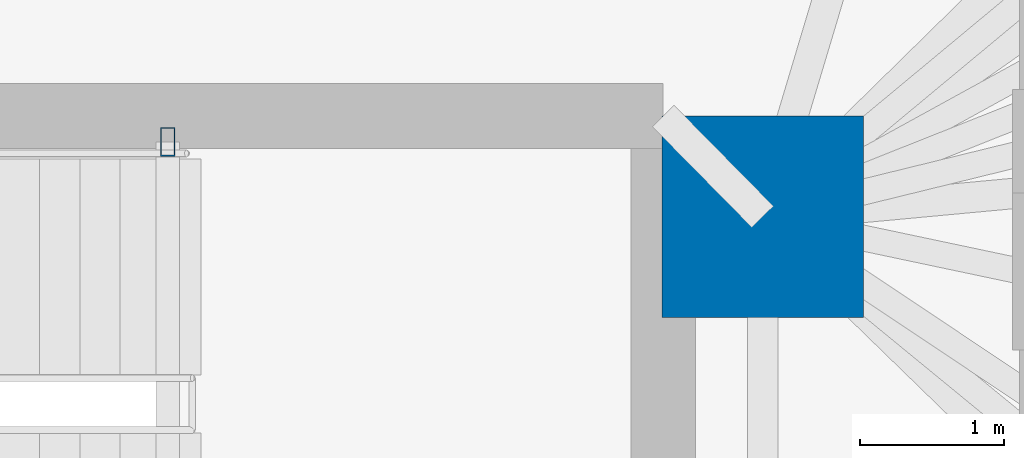
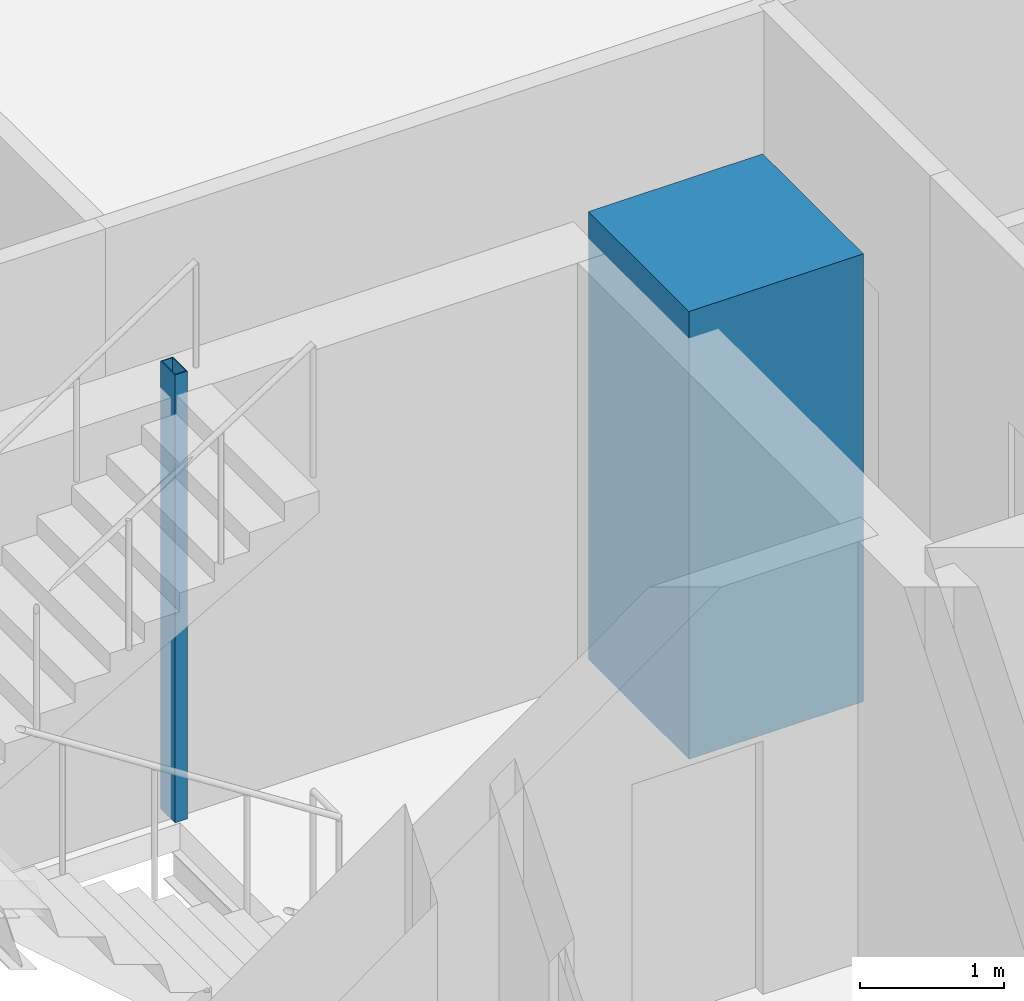
# One storey, part 4 of 17: 2 columns.
"""IFC4 building model written with IfcOpenShell, lengths in metres."""

from ifc_helpers import new_model, si_unit, direction, frame, origin, origin_2d, place, context, subcontext, project, spatial, rectangle, hollow_rectangle, extrude, material, material_profile, profile_set, type_object, element, save


model = new_model("IFC4")

# Units and contexts
model_context = context("Model", 3, precision=1e-05, world=origin(), true_north=direction((0.0, 1.0)))
body_context = subcontext(model_context, "Body", "Model", "MODEL_VIEW")
ifc_project = project(units=[si_unit("LENGTHUNIT", "METRE"), si_unit("AREAUNIT", "SQUARE_METRE"), si_unit("VOLUMEUNIT", "CUBIC_METRE"), si_unit("PLANEANGLEUNIT", "RADIAN"), si_unit("MASSUNIT", "GRAM", prefix="KILO")], contexts=[model_context])

# Site, building, storey
site_placement = place(None, origin())
site = spatial("IfcSite", under=ifc_project, at=site_placement, CompositionType="ELEMENT")
building_placement = place(site_placement, origin())
building = spatial("IfcBuilding", under=site, at=building_placement, Name="Menara Jurai Vektor", CompositionType="ELEMENT")
storey_placement = place(building_placement, frame((0.0, 0.0, 71.199951171875)))
storey = spatial("IfcBuildingStorey", under=building, at=storey_placement, Name="L17", CompositionType="ELEMENT", Elevation=71.199951171875)

# Columns
ifc_material_1 = material(Name="Concrete C60/75", Category="concrete")
ifc_material_profile_1 = material_profile(ifc_material_1, rectangle(XDim=1.39990234375, YDim=1.39990234375, at=origin_2d()), Name="RC 1400x1400")
ifc_profile_set_1 = profile_set([ifc_material_profile_1], Name="Concrete C60/75")
column_type_1 = type_object("IfcColumnType", Name="STR-COL-RC1400", PredefinedType="COLUMN", material=ifc_profile_set_1)
column_1_placement = place(storey_placement, frame((15.25, 4.89990234375, 0.0), z_axis=(0.0, 0.0, 1.0), x_axis=(1.0, 0.0, 0.0)))
element("IfcColumn", 1, at=column_1_placement, inside=storey, type_object=column_type_1, Name="Core Spine Column CE-NE L17", PredefinedType="COLUMN", context=body_context, shape_type="SweptSolid", body=[
    extrude(rectangle(XDim=1.39990234375, YDim=1.39990234375, at=origin_2d()), origin(), (0.0, 0.0, 1.0), 3.800048828125),
])
ifc_material_2 = material(Name="Steel S355", Category="steel")
ifc_material_profile_2 = material_profile(ifc_material_2, hollow_rectangle(XDim=0.10009765625, YDim=0.199951171875, WallThickness=0.008056640625, at=origin_2d()), Name="RHS 200x100x8")
ifc_profile_set_2 = profile_set([ifc_material_profile_2], Name="Steel S355")
column_type_2 = type_object("IfcColumnType", Name="STR-COL-STAIR", PredefinedType="COLUMN", material=ifc_profile_set_2)
column_2_placement = place(storey_placement, frame((11.1201171875, 5.419921875, 0.0), z_axis=(0.0, 0.0, 1.0), x_axis=(1.0, 0.0, 0.0)))
element("IfcColumn", 2, at=column_2_placement, inside=storey, type_object=column_type_2, Name="Stair Well Header Column ST2-P2 L17", PredefinedType="COLUMN", context=body_context, shape_type="SweptSolid", body=[
    extrude(hollow_rectangle(XDim=0.10009765625, YDim=0.199951171875, WallThickness=0.008056640625, at=origin_2d()), origin(), (0.0, 0.0, 1.0), 3.800048828125),
])

save(model, "model.ifc")
